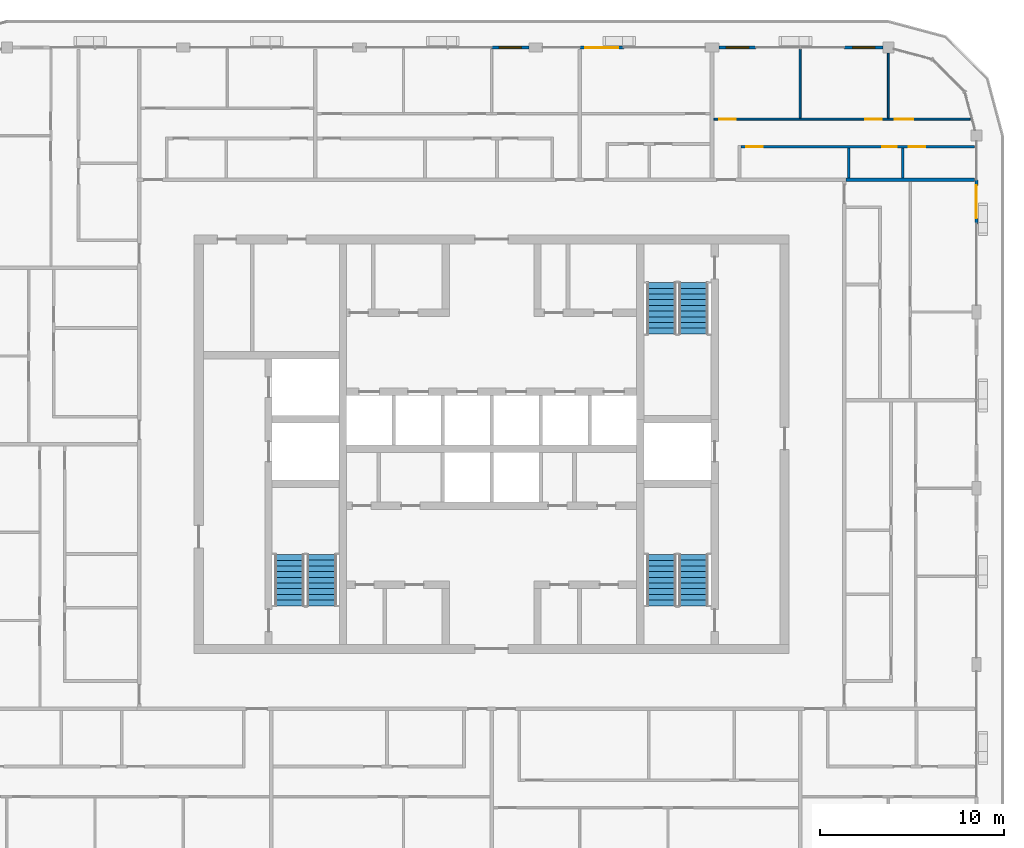
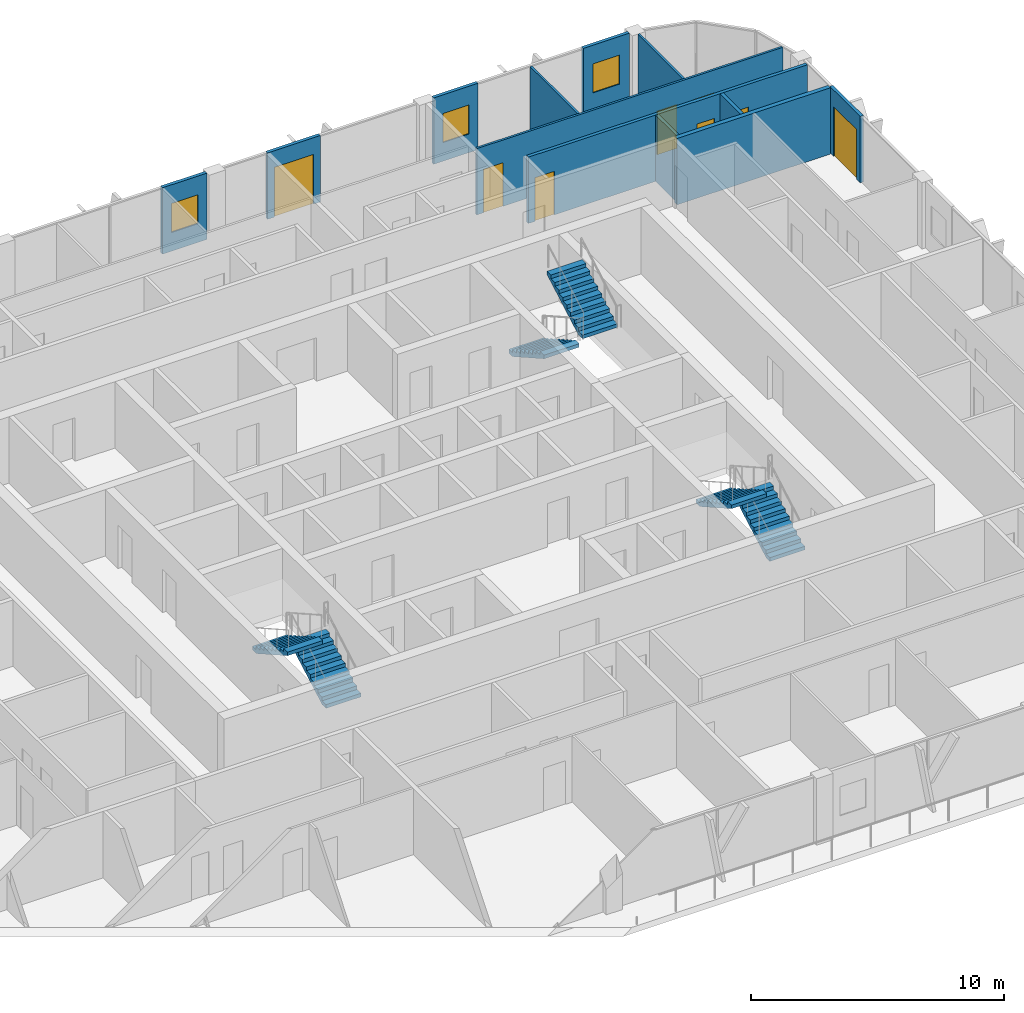
# One storey, part 15 of 21: 12 walls, 8 doors, 6 stair flights, 3 windows, 11 openings, 3 elements without a shape of their own.
"""IFC4 building model written with IfcOpenShell, lengths in metres."""

from ifc_helpers import new_model, si_unit, direction, frame, frame_2d, origin, place, context, subcontext, project, spatial, polyline, rectangle, outline, extrude, material, layer, layer_set, type_object, element, fill, aggregate, save


model = new_model("IFC4")

# Units and contexts
model_context = context("Model", 3, precision=1e-05, world=origin(), true_north=direction((0.0, 1.0)))
body_context = subcontext(model_context, "Body", "Model", "MODEL_VIEW")
ifc_project = project(units=[si_unit("LENGTHUNIT", "METRE"), si_unit("AREAUNIT", "SQUARE_METRE"), si_unit("VOLUMEUNIT", "CUBIC_METRE"), si_unit("PLANEANGLEUNIT", "RADIAN"), si_unit("MASSUNIT", "GRAM", prefix="KILO")], contexts=[model_context])

# Site, building, storey
site_placement = place(None, origin())
site = spatial("IfcSite", under=ifc_project, at=site_placement, CompositionType="ELEMENT")
building_placement = place(site_placement, origin())
building = spatial("IfcBuilding", under=site, at=building_placement, Name="Madar Terraces", CompositionType="ELEMENT")
storey_placement = place(building_placement, frame((0.0, 0.0, 268.60009765625)))
storey = spatial("IfcBuildingStorey", under=building, at=storey_placement, Name="L70", CompositionType="ELEMENT", Elevation=268.60009765625)

# Wall, opening, door
ifc_material_1 = material(Name="Aluminium composite panel, black, over insulated backing", Category="aluminium")
ifc_layer_1 = layer(ifc_material_1, 0.14990234375)
ifc_layer_set_1 = layer_set([ifc_layer_1], Name="Facade bay panel 150")
wall_type_1 = type_object("IfcWallType", Name="Facade bay panel 150", PredefinedType="SOLIDWALL", material=ifc_layer_set_1)
wall_1_placement = place(storey_placement, frame((57.60009765625, 38.39990234375, 0.0), z_axis=(0.0, 0.0, 1.0), x_axis=(0.0, 1.0, 0.0)))
wall_1 = element("IfcWall", 1, at=wall_1_placement, inside=storey, type_object=wall_type_1, Name="Facade bay panel", PredefinedType="SOLIDWALL", context=body_context, shape_type="SweptSolid", body=[
    extrude(rectangle(XDim=2.400146484375, YDim=0.14990234375, at=frame_2d((1.2001953125, 0.0))), origin(), (0.0, 0.0, 1.0), 3.199951171875),
])
opening_1_placement = place(wall_1_placement, frame((0.300048828125, 0.0, 0.0)))
opening_1 = element("IfcOpeningElement", 2, at=opening_1_placement, cuts=wall_1, Name="Opening ED1", PredefinedType="OPENING", context=body_context, shape_type="SweptSolid", body=[
    extrude(rectangle(XDim=1.800048828125, YDim=2.39990234375, at=frame_2d((0.89990234375, 1.199951171875))), frame((0.0, 0.0849609375, 0.0), z_axis=(0.0, -1.0, 0.0), x_axis=(1.0, 0.0, 0.0)), (0.0, 0.0, 1.0), 0.169921875),
])
ifc_material_2 = material(Name="Glass, clear, with black aluminium frame", Category="aluminium")
door_type_1 = type_object("IfcDoorType", Name="Balcony and terrace sliding door 1800 x 2400", OperationType="SLIDING_TO_LEFT", PredefinedType="DOOR", material=ifc_material_2)
door_1_placement = place(opening_1_placement, origin())
door_1 = element("IfcDoor", 3, at=door_1_placement, inside=storey, type_object=door_type_1, Name="Balcony door", OperationType="SLIDING_TO_LEFT", OverallHeight=2.39990234375, OverallWidth=1.800048828125, PredefinedType="DOOR", context=body_context, shape_type="SweptSolid", body=[
    extrude(rectangle(XDim=1.800048828125, YDim=2.39990234375, at=frame_2d((0.89990234375, 1.199951171875))), frame((0.0, 0.02490234375, 0.0), z_axis=(0.0, -1.0, 0.0), x_axis=(1.0, 0.0, 0.0)), (0.0, 0.0, 1.0), 0.050048828125),
])
fill(opening_1, door_1)

# Wall, opening, window
wall_2_placement = place(storey_placement, frame((52.5, 48.0, 0.0), z_axis=(0.0, 0.0, 1.0), x_axis=(-1.0, 0.0, 0.0)))
wall_2 = element("IfcWall", 4, at=wall_2_placement, inside=storey, type_object=wall_type_1, Name="Facade bay panel", PredefinedType="SOLIDWALL", context=body_context, shape_type="SweptSolid", body=[
    extrude(rectangle(XDim=2.10009765625, YDim=0.14990234375, at=frame_2d((1.050048828125, 0.0))), origin(), (0.0, 0.0, 1.0), 3.199951171875),
])
opening_2_placement = place(wall_2_placement, frame((0.449951171875, 0.0, 0.89990234375)))
opening_2 = element("IfcOpeningElement", 5, at=opening_2_placement, cuts=wall_2, Name="Opening W1", PredefinedType="OPENING", context=body_context, shape_type="SweptSolid", body=[
    extrude(rectangle(XDim=1.199951171875, YDim=1.39990234375, at=frame_2d((0.60009765625, 0.699951171875))), frame((0.0, 0.0849609375, 0.0), z_axis=(0.0, -1.0, 0.0), x_axis=(1.0, 0.0, 0.0)), (0.0, 0.0, 1.0), 0.169921875),
])
ifc_material_3 = material(Name="Glass, clear, with black aluminium frame", Category="aluminium")
window_type = type_object("IfcWindowType", Name="Vent window 1200 x 1400", PartitioningType="SINGLE_PANEL", PredefinedType="WINDOW", material=ifc_material_3)
window_1_placement = place(opening_2_placement, origin())
window_1 = element("IfcWindow", 6, at=window_1_placement, inside=storey, type_object=window_type, Name="Operable vent window", OverallHeight=1.39990234375, OverallWidth=1.199951171875, PartitioningType="SINGLE_PANEL", PredefinedType="WINDOW", context=body_context, shape_type="SweptSolid", body=[
    extrude(rectangle(XDim=1.199951171875, YDim=1.39990234375, at=frame_2d((0.60009765625, 0.699951171875))), frame((0.0, 0.030029296875, 0.0), z_axis=(0.0, -1.0, 0.0), x_axis=(1.0, 0.0, 0.0)), (0.0, 0.0, 1.0), 0.06005859375),
])
fill(opening_2, window_1)

wall_3_placement = place(storey_placement, frame((45.60009765625, 48.0, 0.0), z_axis=(0.0, 0.0, 1.0), x_axis=(-1.0, 0.0, 0.0)))
wall_3 = element("IfcWall", 7, at=wall_3_placement, inside=storey, type_object=wall_type_1, Name="Facade bay panel", PredefinedType="SOLIDWALL", context=body_context, shape_type="SweptSolid", body=[
    extrude(rectangle(XDim=2.025146484375, YDim=0.14990234375, at=frame_2d((1.0126953125, 0.0))), origin(), (0.0, 0.0, 1.0), 3.199951171875),
])
opening_3_placement = place(wall_3_placement, frame((0.41259765625, 0.0, 0.89990234375)))
opening_3 = element("IfcOpeningElement", 8, at=opening_3_placement, cuts=wall_3, Name="Opening W1", PredefinedType="OPENING", context=body_context, shape_type="SweptSolid", body=[
    extrude(rectangle(XDim=1.199951171875, YDim=1.39990234375, at=frame_2d((0.60009765625, 0.699951171875))), frame((0.0, 0.0849609375, 0.0), z_axis=(0.0, -1.0, 0.0), x_axis=(1.0, 0.0, 0.0)), (0.0, 0.0, 1.0), 0.169921875),
])
window_2_placement = place(opening_3_placement, origin())
window_2 = element("IfcWindow", 9, at=window_2_placement, inside=storey, type_object=window_type, Name="Operable vent window", OverallHeight=1.39990234375, OverallWidth=1.199951171875, PartitioningType="SINGLE_PANEL", PredefinedType="WINDOW", context=body_context, shape_type="SweptSolid", body=[
    extrude(rectangle(XDim=1.199951171875, YDim=1.39990234375, at=frame_2d((0.60009765625, 0.699951171875))), frame((0.0, 0.030029296875, 0.0), z_axis=(0.0, -1.0, 0.0), x_axis=(1.0, 0.0, 0.0)), (0.0, 0.0, 1.0), 0.06005859375),
])
fill(opening_3, window_2)

# Wall, opening, door
wall_4_placement = place(storey_placement, frame((38.39990234375, 48.0, 0.0), z_axis=(0.0, 0.0, 1.0), x_axis=(-1.0, 0.0, 0.0)))
wall_4 = element("IfcWall", 10, at=wall_4_placement, inside=storey, type_object=wall_type_1, Name="Facade bay panel", PredefinedType="SOLIDWALL", context=body_context, shape_type="SweptSolid", body=[
    extrude(rectangle(XDim=2.39990234375, YDim=0.14990234375, at=frame_2d((1.199951171875, 0.0))), origin(), (0.0, 0.0, 1.0), 3.199951171875),
])
opening_4_placement = place(wall_4_placement, frame((0.300048828125, 0.0, 0.0)))
opening_4 = element("IfcOpeningElement", 11, at=opening_4_placement, cuts=wall_4, Name="Opening ED1", PredefinedType="OPENING", context=body_context, shape_type="SweptSolid", body=[
    extrude(rectangle(XDim=1.800048828125, YDim=2.39990234375, at=frame_2d((0.89990234375, 1.199951171875))), frame((0.0, 0.0849609375, 0.0), z_axis=(0.0, -1.0, 0.0), x_axis=(1.0, 0.0, 0.0)), (0.0, 0.0, 1.0), 0.169921875),
])
door_2_placement = place(opening_4_placement, origin())
door_2 = element("IfcDoor", 12, at=door_2_placement, inside=storey, type_object=door_type_1, Name="Balcony door", OperationType="SLIDING_TO_RIGHT", OverallHeight=2.39990234375, OverallWidth=1.800048828125, PredefinedType="DOOR", context=body_context, shape_type="SweptSolid", body=[
    extrude(rectangle(XDim=1.800048828125, YDim=2.39990234375, at=frame_2d((0.89990234375, 1.199951171875))), frame((0.0, 0.02490234375, 0.0), z_axis=(0.0, -1.0, 0.0), x_axis=(1.0, 0.0, 0.0)), (0.0, 0.0, 1.0), 0.050048828125),
])
fill(opening_4, door_2)

# Wall, opening, window
wall_5_placement = place(storey_placement, frame((33.22509765625, 48.0, 0.0), z_axis=(0.0, 0.0, 1.0), x_axis=(-1.0, 0.0, 0.0)))
wall_5 = element("IfcWall", 13, at=wall_5_placement, inside=storey, type_object=wall_type_1, Name="Facade bay panel", PredefinedType="SOLIDWALL", context=body_context, shape_type="SweptSolid", body=[
    extrude(rectangle(XDim=2.025146484375, YDim=0.14990234375, at=frame_2d((1.0126953125, 0.0))), origin(), (0.0, 0.0, 1.0), 3.199951171875),
])
opening_5_placement = place(wall_5_placement, frame((0.41259765625, 0.0, 0.89990234375)))
opening_5 = element("IfcOpeningElement", 14, at=opening_5_placement, cuts=wall_5, Name="Opening W1", PredefinedType="OPENING", context=body_context, shape_type="SweptSolid", body=[
    extrude(rectangle(XDim=1.199951171875, YDim=1.39990234375, at=frame_2d((0.60009765625, 0.699951171875))), frame((0.0, 0.0849609375, 0.0), z_axis=(0.0, -1.0, 0.0), x_axis=(1.0, 0.0, 0.0)), (0.0, 0.0, 1.0), 0.169921875),
])
window_3_placement = place(opening_5_placement, origin())
window_3 = element("IfcWindow", 15, at=window_3_placement, inside=storey, type_object=window_type, Name="Operable vent window", OverallHeight=1.39990234375, OverallWidth=1.199951171875, PartitioningType="SINGLE_PANEL", PredefinedType="WINDOW", context=body_context, shape_type="SweptSolid", body=[
    extrude(rectangle(XDim=1.199951171875, YDim=1.39990234375, at=frame_2d((0.60009765625, 0.699951171875))), frame((0.0, 0.030029296875, 0.0), z_axis=(0.0, -1.0, 0.0), x_axis=(1.0, 0.0, 0.0)), (0.0, 0.0, 1.0), 0.06005859375),
])
fill(opening_5, window_3)

# Walls
ifc_material_4 = material(Name="Gypsum board on steel studs", Category="steel")
ifc_layer_2 = layer(ifc_material_4, 0.10009765625)
ifc_layer_set_2 = layer_set([ifc_layer_2], Name="Flat partition 100")
wall_type_2 = type_object("IfcWallType", Name="Flat partition 100", PredefinedType="PARTITIONING", material=ifc_layer_set_2)
wall_6_placement = place(storey_placement, frame((48.0, 44.14990234375, 0.0), z_axis=(0.0, 0.0, 1.0), x_axis=(0.0, 1.0, 0.0)))
element("IfcWall", 16, at=wall_6_placement, inside=storey, type_object=wall_type_2, Name="Flat partition 100", PredefinedType="PARTITIONING", context=body_context, shape_type="SweptSolid", body=[
    extrude(rectangle(XDim=3.75, YDim=0.10009765625, at=frame_2d((1.875, 0.0))), origin(), (0.0, 0.0, 1.0), 3.199951171875),
])
wall_7_placement = place(storey_placement, frame((52.800048828125, 44.14990234375, 0.0), z_axis=(0.0, 0.0, 1.0), x_axis=(0.0, 1.0, 0.0)))
element("IfcWall", 17, at=wall_7_placement, inside=storey, type_object=wall_type_2, Name="Flat partition 100", PredefinedType="PARTITIONING", context=body_context, shape_type="SweptSolid", body=[
    extrude(rectangle(XDim=3.550048828125, YDim=0.10009765625, at=frame_2d((1.77490234375, 0.0))), origin(), (0.0, 0.0, 1.0), 3.199951171875),
])

# Wall, openings, doors
wall_8_placement = place(storey_placement, frame((43.300048828125, 44.10009765625, 0.0), z_axis=(0.0, 0.0, 1.0), x_axis=(1.0, 0.0, 0.0)))
wall_8 = element("IfcWall", 18, at=wall_8_placement, inside=storey, type_object=wall_type_2, Name="Flat partition 100", PredefinedType="PARTITIONING", context=body_context, shape_type="SweptSolid", body=[
    extrude(rectangle(XDim=13.958740234375, YDim=0.10009765625, at=frame_2d((6.9794921875, 0.0))), origin(), (0.0, 0.0, 1.0), 3.199951171875),
])
opening_6_placement = place(wall_8_placement, frame((0.300048828125, 0.0, 0.0)))
opening_6 = element("IfcOpeningElement", 19, at=opening_6_placement, cuts=wall_8, Name="Opening D2", PredefinedType="OPENING", context=body_context, shape_type="SweptSolid", body=[
    extrude(rectangle(XDim=0.89990234375, YDim=2.10009765625, at=frame_2d((0.449951171875, 1.050048828125))), frame((0.0, 0.06005859375, 0.0), z_axis=(0.0, -1.0, 0.0), x_axis=(1.0, 0.0, 0.0)), (0.0, 0.0, 1.0), 0.1201171875),
])
opening_7_placement = place(wall_8_placement, frame((8.25, 0.0, 0.0)))
opening_7 = element("IfcOpeningElement", 20, at=opening_7_placement, cuts=wall_8, Name="Opening D2", PredefinedType="OPENING", context=body_context, shape_type="SweptSolid", body=[
    extrude(rectangle(XDim=0.89990234375, YDim=2.10009765625, at=frame_2d((0.449951171875, 1.050048828125))), frame((0.0, 0.06005859375, 0.0), z_axis=(0.0, -1.0, 0.0), x_axis=(1.0, 0.0, 0.0)), (0.0, 0.0, 1.0), 0.1201171875),
])
opening_8_placement = place(wall_8_placement, frame((9.85009765625, 0.0, 0.0)))
opening_8 = element("IfcOpeningElement", 21, at=opening_8_placement, cuts=wall_8, Name="Opening D3", PredefinedType="OPENING", context=body_context, shape_type="SweptSolid", body=[
    extrude(rectangle(XDim=1.0, YDim=2.10009765625, at=frame_2d((0.5, 1.050048828125))), frame((0.0, 0.06005859375, 0.0), z_axis=(0.0, -1.0, 0.0), x_axis=(1.0, 0.0, 0.0)), (0.0, 0.0, 1.0), 0.1201171875),
])
ifc_material_5 = material(Name="Timber door leaf", Category="wood")
door_type_2 = type_object("IfcDoorType", Name="Flat living room door 1000", OperationType="NOTDEFINED", PredefinedType="DOOR", material=ifc_material_5)
door_3_placement = place(opening_8_placement, origin())
door_3 = element("IfcDoor", 22, at=door_3_placement, inside=storey, type_object=door_type_2, Name="Flat living room door 1000", OperationType="SINGLE_SWING_LEFT", OverallHeight=2.10009765625, OverallWidth=1.0, PredefinedType="DOOR", context=body_context, shape_type="SweptSolid", body=[
    extrude(rectangle(XDim=1.0, YDim=2.10009765625, at=frame_2d((0.5, 1.050048828125))), frame((0.0, 0.02490234375, 0.0), z_axis=(0.0, -1.0, 0.0), x_axis=(1.0, 0.0, 0.0)), (0.0, 0.0, 1.0), 0.050048828125),
])
fill(opening_8, door_3)
ifc_material_6 = material(Name="Timber door leaf", Category="wood")
door_type_3 = type_object("IfcDoorType", Name="Flat room door 900", OperationType="NOTDEFINED", PredefinedType="DOOR", material=ifc_material_6)
door_4_placement = place(opening_6_placement, origin())
door_4 = element("IfcDoor", 23, at=door_4_placement, inside=storey, type_object=door_type_3, Name="Flat room door 900", OperationType="SINGLE_SWING_LEFT", OverallHeight=2.10009765625, OverallWidth=0.89990234375, PredefinedType="DOOR", context=body_context, shape_type="SweptSolid", body=[
    extrude(rectangle(XDim=0.89990234375, YDim=2.10009765625, at=frame_2d((0.449951171875, 1.050048828125))), frame((0.0, 0.02490234375, 0.0), z_axis=(0.0, -1.0, 0.0), x_axis=(1.0, 0.0, 0.0)), (0.0, 0.0, 1.0), 0.050048828125),
])
fill(opening_6, door_4)
door_5_placement = place(opening_7_placement, origin())
door_5 = element("IfcDoor", 24, at=door_5_placement, inside=storey, type_object=door_type_3, Name="Flat room door 900", OperationType="SINGLE_SWING_RIGHT", OverallHeight=2.10009765625, OverallWidth=0.89990234375, PredefinedType="DOOR", context=body_context, shape_type="SweptSolid", body=[
    extrude(rectangle(XDim=0.89990234375, YDim=2.10009765625, at=frame_2d((0.449951171875, 1.050048828125))), frame((0.0, 0.02490234375, 0.0), z_axis=(0.0, -1.0, 0.0), x_axis=(1.0, 0.0, 0.0)), (0.0, 0.0, 1.0), 0.050048828125),
])
fill(opening_7, door_5)

# Walls
ifc_material_7 = material(Name="Lightweight blockwork", Category="masonry")
ifc_layer_3 = layer(ifc_material_7, 0.199951171875)
ifc_layer_set_3 = layer_set([ifc_layer_3], Name="Flat party and entrance wall 200")
wall_type_3 = type_object("IfcWallType", Name="Flat party and entrance wall 200", PredefinedType="PARTITIONING", material=ifc_layer_set_3)
wall_9_placement = place(storey_placement, frame((50.5, 40.800048828125, 0.0), z_axis=(0.0, 0.0, 1.0), x_axis=(1.0, 0.0, 0.0)))
element("IfcWall", 25, at=wall_9_placement, inside=storey, type_object=wall_type_3, Name="Flat party and entrance wall 200", PredefinedType="PARTITIONING", context=body_context, shape_type="SweptSolid", body=[
    extrude(rectangle(XDim=7.0, YDim=0.199951171875, at=frame_2d((3.5, 0.0))), origin(), (0.0, 0.0, 1.0), 3.199951171875),
])
ifc_material_8 = material(Name="Lightweight blockwork", Category="masonry")
ifc_layer_4 = layer(ifc_material_8, 0.14990234375)
ifc_layer_set_4 = layer_set([ifc_layer_4], Name="Flat wet-room partition 150")
wall_type_4 = type_object("IfcWallType", Name="Flat wet-room partition 150", PredefinedType="PARTITIONING", material=ifc_layer_set_4)
for number, where, z_axis, x_axis, name in (
    (26, (50.648193359375, 40.89990234375, 0.0), (0.0, 0.0, 1.0), (0.0, 1.0, 0.0), "Flat wet-room partition 150"),
    (27, (53.584716796875, 40.89990234375, 0.0), (0.0, 0.0, 1.0), (0.0, 1.0, 0.0), "Flat wet-room partition 150"),
):
    element("IfcWall", number, at=place(storey_placement, frame(where, z_axis=z_axis, x_axis=x_axis)), inside=storey, type_object=wall_type_4, Name=name, PredefinedType="PARTITIONING", context=body_context, shape_type="SweptSolid", body=[
        extrude(rectangle(XDim=1.625, YDim=0.14990234375, at=frame_2d((0.8125, 0.0))), origin(), (0.0, 0.0, 1.0), 3.199951171875),
    ])

# Wall, openings, doors
wall_10_placement = place(storey_placement, frame((57.5, 42.60009765625, 0.0), z_axis=(0.0, 0.0, 1.0), x_axis=(-1.0, 0.0, 0.0)))
wall_10 = element("IfcWall", 28, at=wall_10_placement, inside=storey, type_object=wall_type_4, Name="Flat wet-room partition 150", PredefinedType="PARTITIONING", context=body_context, shape_type="SweptSolid", body=[
    extrude(rectangle(XDim=12.72509765625, YDim=0.14990234375, at=frame_2d((6.362548828125, 0.0))), origin(), (0.0, 0.0, 1.0), 3.199951171875),
])
opening_9_placement = place(wall_10_placement, frame((11.52490234375, 0.0, 0.0)))
opening_9 = element("IfcOpeningElement", 29, at=opening_9_placement, cuts=wall_10, Name="Opening D2", PredefinedType="OPENING", context=body_context, shape_type="SweptSolid", body=[
    extrude(rectangle(XDim=0.89990234375, YDim=2.10009765625, at=frame_2d((0.449951171875, 1.050048828125))), frame((0.0, 0.0849609375, 0.0), z_axis=(0.0, -1.0, 0.0), x_axis=(1.0, 0.0, 0.0)), (0.0, 0.0, 1.0), 0.169921875),
])
opening_10_placement = place(wall_10_placement, frame((4.240478515625, 0.0, 0.0)))
opening_10 = element("IfcOpeningElement", 30, at=opening_10_placement, cuts=wall_10, Name="Opening D4", PredefinedType="OPENING", context=body_context, shape_type="SweptSolid", body=[
    extrude(rectangle(XDim=0.800048828125, YDim=2.10009765625, at=frame_2d((0.39990234375, 1.050048828125))), frame((0.0, 0.0849609375, 0.0), z_axis=(0.0, -1.0, 0.0), x_axis=(1.0, 0.0, 0.0)), (0.0, 0.0, 1.0), 0.169921875),
])
opening_11_placement = place(wall_10_placement, frame((2.6904296875, 0.0, 0.0)))
opening_11 = element("IfcOpeningElement", 31, at=opening_11_placement, cuts=wall_10, Name="Opening D5", PredefinedType="OPENING", context=body_context, shape_type="SweptSolid", body=[
    extrude(rectangle(XDim=0.89990234375, YDim=2.10009765625, at=frame_2d((0.449951171875, 1.050048828125))), frame((0.0, 0.0849609375, 0.0), z_axis=(0.0, -1.0, 0.0), x_axis=(1.0, 0.0, 0.0)), (0.0, 0.0, 1.0), 0.169921875),
])
ifc_material_9 = material(Name="Timber door leaf", Category="wood")
door_type_4 = type_object("IfcDoorType", Name="Flat accessible bathroom door 900", OperationType="NOTDEFINED", PredefinedType="DOOR", material=ifc_material_9)
door_6_placement = place(opening_11_placement, origin())
door_6 = element("IfcDoor", 32, at=door_6_placement, inside=storey, type_object=door_type_4, Name="Flat accessible bathroom door 900", OperationType="SINGLE_SWING_RIGHT", OverallHeight=2.10009765625, OverallWidth=0.89990234375, PredefinedType="DOOR", context=body_context, shape_type="SweptSolid", body=[
    extrude(rectangle(XDim=0.89990234375, YDim=2.10009765625, at=frame_2d((0.449951171875, 1.050048828125))), frame((0.0, 0.02490234375, 0.0), z_axis=(0.0, -1.0, 0.0), x_axis=(1.0, 0.0, 0.0)), (0.0, 0.0, 1.0), 0.050048828125),
])
fill(opening_11, door_6)
ifc_material_10 = material(Name="Timber door leaf", Category="wood")
door_type_5 = type_object("IfcDoorType", Name="Flat bathroom door 800", OperationType="NOTDEFINED", PredefinedType="DOOR", material=ifc_material_10)
door_7_placement = place(opening_10_placement, origin())
door_7 = element("IfcDoor", 33, at=door_7_placement, inside=storey, type_object=door_type_5, Name="Flat bathroom door 800", OperationType="SINGLE_SWING_LEFT", OverallHeight=2.10009765625, OverallWidth=0.800048828125, PredefinedType="DOOR", context=body_context, shape_type="SweptSolid", body=[
    extrude(rectangle(XDim=0.800048828125, YDim=2.10009765625, at=frame_2d((0.39990234375, 1.050048828125))), frame((0.0, 0.02490234375, 0.0), z_axis=(0.0, -1.0, 0.0), x_axis=(1.0, 0.0, 0.0)), (0.0, 0.0, 1.0), 0.050048828125),
])
fill(opening_10, door_7)
door_8_placement = place(opening_9_placement, origin())
door_8 = element("IfcDoor", 34, at=door_8_placement, inside=storey, type_object=door_type_3, Name="Flat room door 900", OperationType="SINGLE_SWING_RIGHT", OverallHeight=2.10009765625, OverallWidth=0.89990234375, PredefinedType="DOOR", context=body_context, shape_type="SweptSolid", body=[
    extrude(rectangle(XDim=0.89990234375, YDim=2.10009765625, at=frame_2d((0.449951171875, 1.050048828125))), frame((0.0, 0.02490234375, 0.0), z_axis=(0.0, -1.0, 0.0), x_axis=(1.0, 0.0, 0.0)), (0.0, 0.0, 1.0), 0.050048828125),
])
fill(opening_9, door_8)

# Stair, stair flights
ifc_material_11 = material(Name="Concrete C50/60", Category="concrete")
stair_type_1 = type_object("IfcStairType", Name="Stair ST1 protected exit", PredefinedType="HALF_TURN_STAIR", material=ifc_material_11)
stair_1_placement = place(storey_placement, origin())
stair_1 = element("IfcStair", 35, at=stair_1_placement, inside=storey, type_object=stair_type_1, Name="L70 Protected Exit Stair ST1", PredefinedType="HALF_TURN_STAIR")
ifc_material_12 = material(Name="Concrete C50/60", Category="concrete")
stair_flight_type_1 = type_object("IfcStairFlightType", Name="Stair flight ST1-F4, 1600 wide, 10 risers", PredefinedType="STRAIGHT", material=ifc_material_12)
stair_flight_1_placement = place(storey_placement, frame((21.949951171875, 17.60009765625, 0.0), z_axis=(0.0, 0.0, 1.0), x_axis=(0.0, 1.0, 0.0)))
stair_flight_1 = element("IfcStairFlight", 36, at=stair_flight_1_placement, type_object=stair_flight_type_1, Name="ST1 flight 1", NumberOfRisers=10, NumberOfTreads=9, PredefinedType="STRAIGHT", RiserHeight=0.175, TreadLength=0.31, context=body_context, shape_type="SweptSolid", body=[
    extrude(outline(polyline([(0.0, 0.0), (0.0, 0.175048828125), (0.31005859375, 0.175048828125), (0.31005859375, 0.35009765625), (0.6201171875, 0.35009765625), (0.6201171875, 0.52490234375), (0.929931640625, 0.52490234375), (0.929931640625, 0.699951171875), (1.239990234375, 0.699951171875), (1.239990234375, 0.875), (1.550048828125, 0.875), (1.550048828125, 1.050048828125), (1.860107421875, 1.050048828125), (1.860107421875, 1.22509765625), (2.169921875, 1.22509765625), (2.169921875, 1.39990234375), (2.47998046875, 1.39990234375), (2.47998046875, 1.574951171875), (2.7900390625, 1.574951171875), (2.7900390625, 1.75), (2.7900390625, 1.40283203125), (0.304931640625, 0.0), (0.0, 0.0)])), frame((0.0, 0.800048828125, 0.0), z_axis=(0.0, -1.0, 0.0), x_axis=(1.0, 0.0, 0.0)), (0.0, 0.0, 1.0), 1.60009765625),
])
stair_flight_2_placement = place(storey_placement, frame((20.199951171875, 20.389892578125, 1.75), z_axis=(0.0, 0.0, 1.0), x_axis=(0.0, -1.0, 0.0)))
stair_flight_2 = element("IfcStairFlight", 37, at=stair_flight_2_placement, type_object=stair_flight_type_1, Name="ST1 flight 2", NumberOfRisers=10, NumberOfTreads=9, PredefinedType="STRAIGHT", RiserHeight=0.175, TreadLength=0.31, context=body_context, shape_type="SweptSolid", body=[
    extrude(outline(polyline([(0.0, 0.0), (0.0, 0.175048828125), (0.31005859375, 0.175048828125), (0.31005859375, 0.35009765625), (0.6201171875, 0.35009765625), (0.6201171875, 0.52490234375), (0.929931640625, 0.52490234375), (0.929931640625, 0.699951171875), (1.239990234375, 0.699951171875), (1.239990234375, 0.875), (1.550048828125, 0.875), (1.550048828125, 1.050048828125), (1.860107421875, 1.050048828125), (1.860107421875, 1.22509765625), (2.169921875, 1.22509765625), (2.169921875, 1.39990234375), (2.47998046875, 1.39990234375), (2.47998046875, 1.574951171875), (2.7900390625, 1.574951171875), (2.7900390625, 1.75), (2.7900390625, 1.40283203125), (0.304931640625, 0.0), (0.0, 0.0)])), frame((0.0, 0.800048828125, 0.0), z_axis=(0.0, -1.0, 0.0), x_axis=(1.0, 0.0, 0.0)), (0.0, 0.0, 1.0), 1.60009765625),
])
aggregate(stair_1, [stair_flight_1, stair_flight_2])

ifc_material_13 = material(Name="Concrete C50/60", Category="concrete")
stair_type_2 = type_object("IfcStairType", Name="Stair ST2 protected exit", PredefinedType="HALF_TURN_STAIR", material=ifc_material_13)
stair_2_placement = place(storey_placement, origin())
stair_2 = element("IfcStair", 38, at=stair_2_placement, inside=storey, type_object=stair_type_2, Name="L70 Protected Exit Stair ST2", PredefinedType="HALF_TURN_STAIR")
ifc_material_14 = material(Name="Concrete C50/60", Category="concrete")
stair_flight_type_2 = type_object("IfcStairFlightType", Name="Stair flight ST2-F4, 1600 wide, 10 risers", PredefinedType="STRAIGHT", material=ifc_material_14)
stair_flight_3_placement = place(storey_placement, frame((40.449951171875, 35.199951171875, 0.0), z_axis=(0.0, 0.0, 1.0), x_axis=(0.0, -1.0, 0.0)))
stair_flight_3 = element("IfcStairFlight", 39, at=stair_flight_3_placement, type_object=stair_flight_type_2, Name="ST2 flight 1", NumberOfRisers=10, NumberOfTreads=9, PredefinedType="STRAIGHT", RiserHeight=0.175, TreadLength=0.31, context=body_context, shape_type="SweptSolid", body=[
    extrude(outline(polyline([(0.0, 0.0), (0.0, 0.175048828125), (0.31005859375, 0.175048828125), (0.31005859375, 0.35009765625), (0.6201171875, 0.35009765625), (0.6201171875, 0.52490234375), (0.929931640625, 0.52490234375), (0.929931640625, 0.699951171875), (1.239990234375, 0.699951171875), (1.239990234375, 0.875), (1.550048828125, 0.875), (1.550048828125, 1.050048828125), (1.860107421875, 1.050048828125), (1.860107421875, 1.22509765625), (2.169921875, 1.22509765625), (2.169921875, 1.39990234375), (2.47998046875, 1.39990234375), (2.47998046875, 1.574951171875), (2.7900390625, 1.574951171875), (2.7900390625, 1.75), (2.7900390625, 1.40283203125), (0.304931640625, 0.0), (0.0, 0.0)])), frame((0.0, 0.800048828125, 0.0), z_axis=(0.0, -1.0, 0.0), x_axis=(1.0, 0.0, 0.0)), (0.0, 0.0, 1.0), 1.60009765625),
])
stair_flight_4_placement = place(storey_placement, frame((42.199951171875, 32.409912109375, 1.75), z_axis=(0.0, 0.0, 1.0), x_axis=(0.0, 1.0, 0.0)))
stair_flight_4 = element("IfcStairFlight", 40, at=stair_flight_4_placement, type_object=stair_flight_type_2, Name="ST2 flight 2", NumberOfRisers=10, NumberOfTreads=9, PredefinedType="STRAIGHT", RiserHeight=0.175, TreadLength=0.31, context=body_context, shape_type="SweptSolid", body=[
    extrude(outline(polyline([(0.0, 0.0), (0.0, 0.175048828125), (0.31005859375, 0.175048828125), (0.31005859375, 0.35009765625), (0.6201171875, 0.35009765625), (0.6201171875, 0.52490234375), (0.929931640625, 0.52490234375), (0.929931640625, 0.699951171875), (1.239990234375, 0.699951171875), (1.239990234375, 0.875), (1.550048828125, 0.875), (1.550048828125, 1.050048828125), (1.860107421875, 1.050048828125), (1.860107421875, 1.22509765625), (2.169921875, 1.22509765625), (2.169921875, 1.39990234375), (2.47998046875, 1.39990234375), (2.47998046875, 1.574951171875), (2.7900390625, 1.574951171875), (2.7900390625, 1.75), (2.7900390625, 1.40283203125), (0.304931640625, 0.0), (0.0, 0.0)])), frame((0.0, 0.800048828125, 0.0), z_axis=(0.0, -1.0, 0.0), x_axis=(1.0, 0.0, 0.0)), (0.0, 0.0, 1.0), 1.60009765625),
])
aggregate(stair_2, [stair_flight_3, stair_flight_4])

ifc_material_15 = material(Name="Concrete C50/60", Category="concrete")
stair_type_3 = type_object("IfcStairType", Name="Stair ST3 protected exit", PredefinedType="HALF_TURN_STAIR", material=ifc_material_15)
stair_3_placement = place(storey_placement, origin())
stair_3 = element("IfcStair", 41, at=stair_3_placement, inside=storey, type_object=stair_type_3, Name="L70 Protected Exit Stair ST3", PredefinedType="HALF_TURN_STAIR")
ifc_material_16 = material(Name="Concrete C50/60", Category="concrete")
stair_flight_type_3 = type_object("IfcStairFlightType", Name="Stair flight ST3-F4, 1600 wide, 10 risers", PredefinedType="STRAIGHT", material=ifc_material_16)
stair_flight_5_placement = place(storey_placement, frame((42.199951171875, 17.60009765625, 0.0), z_axis=(0.0, 0.0, 1.0), x_axis=(0.0, 1.0, 0.0)))
stair_flight_5 = element("IfcStairFlight", 42, at=stair_flight_5_placement, type_object=stair_flight_type_3, Name="ST3 flight 1", NumberOfRisers=10, NumberOfTreads=9, PredefinedType="STRAIGHT", RiserHeight=0.175, TreadLength=0.31, context=body_context, shape_type="SweptSolid", body=[
    extrude(outline(polyline([(0.0, 0.0), (0.0, 0.175048828125), (0.31005859375, 0.175048828125), (0.31005859375, 0.35009765625), (0.6201171875, 0.35009765625), (0.6201171875, 0.52490234375), (0.929931640625, 0.52490234375), (0.929931640625, 0.699951171875), (1.239990234375, 0.699951171875), (1.239990234375, 0.875), (1.550048828125, 0.875), (1.550048828125, 1.050048828125), (1.860107421875, 1.050048828125), (1.860107421875, 1.22509765625), (2.169921875, 1.22509765625), (2.169921875, 1.39990234375), (2.47998046875, 1.39990234375), (2.47998046875, 1.574951171875), (2.7900390625, 1.574951171875), (2.7900390625, 1.75), (2.7900390625, 1.40283203125), (0.304931640625, 0.0), (0.0, 0.0)])), frame((0.0, 0.800048828125, 0.0), z_axis=(0.0, -1.0, 0.0), x_axis=(1.0, 0.0, 0.0)), (0.0, 0.0, 1.0), 1.60009765625),
])
stair_flight_6_placement = place(storey_placement, frame((40.449951171875, 20.389892578125, 1.75), z_axis=(0.0, 0.0, 1.0), x_axis=(0.0, -1.0, 0.0)))
stair_flight_6 = element("IfcStairFlight", 43, at=stair_flight_6_placement, type_object=stair_flight_type_3, Name="ST3 flight 2", NumberOfRisers=10, NumberOfTreads=9, PredefinedType="STRAIGHT", RiserHeight=0.175, TreadLength=0.31, context=body_context, shape_type="SweptSolid", body=[
    extrude(outline(polyline([(0.0, 0.0), (0.0, 0.175048828125), (0.31005859375, 0.175048828125), (0.31005859375, 0.35009765625), (0.6201171875, 0.35009765625), (0.6201171875, 0.52490234375), (0.929931640625, 0.52490234375), (0.929931640625, 0.699951171875), (1.239990234375, 0.699951171875), (1.239990234375, 0.875), (1.550048828125, 0.875), (1.550048828125, 1.050048828125), (1.860107421875, 1.050048828125), (1.860107421875, 1.22509765625), (2.169921875, 1.22509765625), (2.169921875, 1.39990234375), (2.47998046875, 1.39990234375), (2.47998046875, 1.574951171875), (2.7900390625, 1.574951171875), (2.7900390625, 1.75), (2.7900390625, 1.40283203125), (0.304931640625, 0.0), (0.0, 0.0)])), frame((0.0, 0.800048828125, 0.0), z_axis=(0.0, -1.0, 0.0), x_axis=(1.0, 0.0, 0.0)), (0.0, 0.0, 1.0), 1.60009765625),
])
aggregate(stair_3, [stair_flight_5, stair_flight_6])

save(model, "model.ifc")
